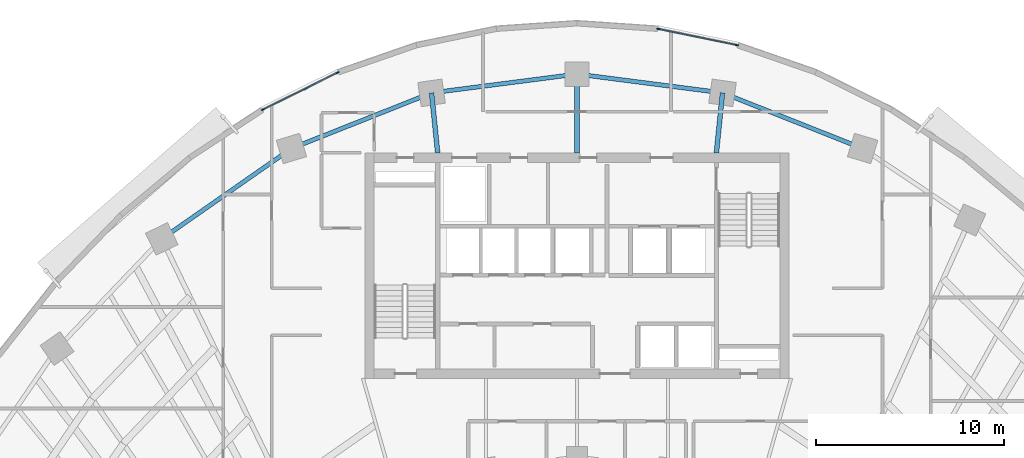
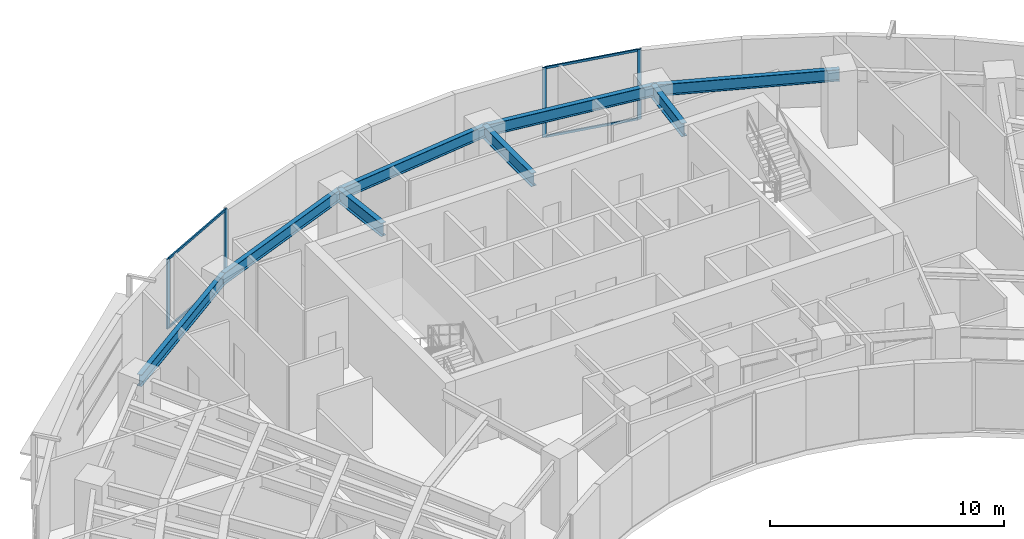
# One storey, part 5 of 14: 8 beams, 8 members, 2 elements without a shape of their own.
"""IFC4 building model written with IfcOpenShell, lengths in metres."""

import ifcopenshell
import ifcopenshell.guid

model = None  # the IFC model being written
_history = None  # IfcOwnerHistory: only IFC2X3 demands one
_inside = {}  # id of a spatial element -> (the spatial element, [elements in it])
_under = {}  # id of a project, library or spatial element -> (it, [spatial elements below it])
_declared = {}  # id of a project -> (the project, [libraries it declares])
_typed = {}  # id of a type object -> (the type object, [elements of that type])
_made_of = {}  # id of a material, layer set ... -> (it, [elements and type objects made of it])


def new_model(schema):
    """Start an empty IFC model of exactly this schema.

    Asked for "IFC4X3", IfcOpenShell would pick the latest addendum, in which some entities
    have other attributes; the version numbers below select the first issue.
    IFC2X3 requires an IfcOwnerHistory on every rooted entity: one is made here for all.
    """
    global model, _history
    if schema == "IFC4X3":
        model = ifcopenshell.file(schema_version=(4, 3, 0, 0))
    else:
        model = ifcopenshell.file(schema=schema)
    _inside.clear()
    _under.clear()
    _declared.clear()
    _typed.clear()
    _made_of.clear()
    _history = None
    if model.schema == "IFC2X3":
        org = make("IfcOrganization", Name="unknown")
        user = make(
            "IfcPersonAndOrganization",
            ThePerson=make("IfcPerson", FamilyName="unknown"),
            TheOrganization=org,
        )
        app = make(
            "IfcApplication",
            ApplicationDeveloper=org,
            Version="unknown",
            ApplicationFullName="unknown",
            ApplicationIdentifier="unknown",
        )
        _history = make(
            "IfcOwnerHistory",
            OwningUser=user,
            OwningApplication=app,
            ChangeAction="ADDED",
            CreationDate=0,
        )
    return model


def make(cls, **values):
    """One entity of the class cls with the attributes given. An attribute that is None is left unset."""
    return model.create_entity(
        cls, **{name: value for name, value in values.items() if value is not None}
    )


def rooted(cls, **values):
    """An entity with a GlobalId (a new one), such as an element, a storey or a relation."""
    return make(cls, GlobalId=ifcopenshell.guid.new(), OwnerHistory=_history, **values)


def si_unit(unit_type, name, prefix=None):
    """IfcSIUnit, for example si_unit("LENGTHUNIT", "METRE", prefix="MILLI")."""
    return make("IfcSIUnit", UnitType=unit_type, Prefix=prefix, Name=name)


def assignment(units):
    """IfcUnitAssignment: the units of a project."""
    return None if units is None else make("IfcUnitAssignment", Units=units)


def point(xyz):
    """IfcCartesianPoint."""
    return None if xyz is None else make("IfcCartesianPoint", Coordinates=xyz)


def direction(xyz):
    """IfcDirection."""
    return None if xyz is None else make("IfcDirection", DirectionRatios=xyz)


def frame(location, z_axis=None, x_axis=None):
    """IfcAxis2Placement3D, a coordinate frame: its origin and axes. An axis left out is left unset."""
    return make(
        "IfcAxis2Placement3D",
        Location=point(location),
        Axis=direction(z_axis),
        RefDirection=direction(x_axis),
    )


def frame_2d(location, x_axis=None):
    """IfcAxis2Placement2D, a coordinate frame in the plane: its origin and x axis."""
    return make(
        "IfcAxis2Placement2D", Location=point(location), RefDirection=direction(x_axis)
    )


def origin():
    """The frame at (0, 0, 0) with its axes left unset."""
    return frame((0.0, 0.0, 0.0))


def origin_2d():
    """The frame at (0, 0) in the plane with its x axis left unset."""
    return frame_2d((0.0, 0.0))


def place(relative_to, where):
    """IfcLocalPlacement: puts the frame where relative to a parent placement (None: the world)."""
    return make(
        "IfcLocalPlacement", PlacementRelTo=relative_to, RelativePlacement=where
    )


def context(
    kind, dimensions, precision=None, world=None, true_north=None, identifier=None
):
    """IfcGeometricRepresentationContext, for example the 3D "Model" context."""
    return make(
        "IfcGeometricRepresentationContext",
        ContextIdentifier=identifier,
        ContextType=kind,
        CoordinateSpaceDimension=dimensions,
        Precision=precision,
        WorldCoordinateSystem=world,
        TrueNorth=true_north,
    )


def subcontext(parent, identifier, kind, view, scale=None):
    """IfcGeometricRepresentationSubContext, for example "Body" below "Model"."""
    return make(
        "IfcGeometricRepresentationSubContext",
        ContextIdentifier=identifier,
        ContextType=kind,
        ParentContext=parent,
        TargetScale=scale,
        TargetView=view,
    )


def project(units=None, contexts=None):
    """IfcProject with its units and contexts."""
    return rooted(
        "IfcProject",
        Name="project",
        RepresentationContexts=contexts,
        UnitsInContext=assignment(units),
    )


def spatial(cls, under=None, at=None, **own):
    """A site, building, storey or space (cls), placed at a placement, below another one or the project."""
    s = rooted(cls, ObjectPlacement=at, **own)
    if under is not None:
        _under.setdefault(under.id(), (under, []))[1].append(s)
    return s


def profile(cls, at=None, kind="AREA", **sizes):
    """A parametric profile (cls). Its sizes go by their IFC names, for example OverallWidth=200.0."""
    return make(cls, ProfileType=kind, Position=at, **sizes)


def rectangle(**sizes):
    """IfcRectangleProfileDef."""
    return profile("IfcRectangleProfileDef", **sizes)


def i_section(**sizes):
    """IfcIShapeProfileDef."""
    return profile("IfcIShapeProfileDef", **sizes)


def extrude(swept, where, along, depth):
    """IfcExtrudedAreaSolid: the profile swept, set in the frame where, extruded along a direction by depth."""
    return make(
        "IfcExtrudedAreaSolid",
        SweptArea=swept,
        Position=where,
        ExtrudedDirection=direction(along),
        Depth=depth,
    )


def shape(context_of_items, identifier, shape_type, items):
    """IfcShapeRepresentation: the items that make up one representation, for example the "Body"."""
    return make(
        "IfcShapeRepresentation",
        ContextOfItems=context_of_items,
        RepresentationIdentifier=identifier,
        RepresentationType=shape_type,
        Items=items,
    )


def source(mapping_origin, context_of_items, identifier, shape_type, items):
    """IfcRepresentationMap: a shape defined once, which mapped items show again and again."""
    return make(
        "IfcRepresentationMap",
        MappingOrigin=mapping_origin,
        MappedRepresentation=shape(context_of_items, identifier, shape_type, items),
    )


def transform(
    local_origin,
    x_axis=None,
    y_axis=None,
    z_axis=None,
    scale=None,
    scale2=None,
    scale3=None,
    uniform=True,
):
    """IfcCartesianTransformationOperator3D, or its non-uniform kind. x_axis, y_axis, z_axis: its Axis1, 2, 3."""
    if uniform:
        return make(
            "IfcCartesianTransformationOperator3D",
            Axis1=direction(x_axis),
            Axis2=direction(y_axis),
            LocalOrigin=point(local_origin),
            Scale=scale,
            Axis3=direction(z_axis),
        )
    return make(
        "IfcCartesianTransformationOperator3DnonUniform",
        Axis1=direction(x_axis),
        Axis2=direction(y_axis),
        LocalOrigin=point(local_origin),
        Scale=scale,
        Axis3=direction(z_axis),
        Scale2=scale2,
        Scale3=scale3,
    )


def mapped(mapping_source, mapping_target):
    """IfcMappedItem: shows the shape of a source again, moved by a transform."""
    return make(
        "IfcMappedItem", MappingSource=mapping_source, MappingTarget=mapping_target
    )


def material(Name=None, Category=None):
    """IfcMaterial."""
    return make("IfcMaterial", Name=Name, Category=Category)


def layer(
    of_material, thickness, ventilated=None, Name=None, Category=None, Priority=None
):
    """IfcMaterialLayer: one layer of a wall or slab, of a material (None: an air gap)."""
    return make(
        "IfcMaterialLayer",
        Material=of_material,
        LayerThickness=thickness,
        IsVentilated=ventilated,
        Name=Name,
        Category=Category,
        Priority=Priority,
    )


def layer_set(layers, Name=None):
    """IfcMaterialLayerSet."""
    return make("IfcMaterialLayerSet", MaterialLayers=layers, LayerSetName=Name)


def material_profile(
    of_material, cross_section, Name=None, Category=None, Priority=None
):
    """IfcMaterialProfile: a cross section and its material."""
    return make(
        "IfcMaterialProfile",
        Name=Name,
        Material=of_material,
        Profile=cross_section,
        Priority=Priority,
        Category=Category,
    )


def profile_set(profiles, Name=None, composite=None):
    """IfcMaterialProfileSet."""
    return make(
        "IfcMaterialProfileSet",
        Name=Name,
        MaterialProfiles=profiles,
        CompositeProfile=composite,
    )


def made_of(thing, what):
    """Note that an element or type object is made of a material, layer set ...; save() writes the relation."""
    if what is not None:
        _made_of.setdefault(what.id(), (what, []))[1].append(thing)
    return thing


def type_object(cls, material=None, **own):
    """A type object (cls), such as IfcWallType, which elements share."""
    return made_of(rooted(cls, **own), material)


def element(
    cls,
    number,
    at=None,
    inside=None,
    cuts=None,
    type_object=None,
    material=None,
    context=None,
    identifier="Body",
    shape_type=None,
    held_by="IfcProductDefinitionShape",
    body=None,
    shapes=None,
    **own,
):
    """One element of the class cls, such as IfcWall. Its Tag is "e" and its number.

    at: its placement. inside: the storey or other place that contains it. cuts: it is an
    opening in that element (IfcRelVoidsElement). A single representation is given by context,
    identifier, shape_type and body (its items); several are given by shapes. held_by: the class
    of the entity that holds the representations. save() writes the other relations.
    """
    e = rooted(cls, Tag="e%d" % number, ObjectPlacement=at, **own)
    if body is not None:
        shapes = [shape(context, identifier, shape_type, body)]
    if shapes is not None:
        e.Representation = make(held_by, Representations=shapes)
    if inside is not None:
        _inside.setdefault(inside.id(), (inside, []))[1].append(e)
    if cuts is not None:
        rooted(
            "IfcRelVoidsElement", RelatingBuildingElement=cuts, RelatedOpeningElement=e
        )
    if type_object is not None:
        _typed.setdefault(type_object.id(), (type_object, []))[1].append(e)
    return made_of(e, material)


def aggregate(whole, parts):
    """IfcRelAggregates: a whole, such as a stair, and the parts it consists of."""
    return rooted("IfcRelAggregates", RelatingObject=whole, RelatedObjects=parts)


def save(model, path):
    """Write the relations noted so far, then the file.

    IfcRelAggregates (storeys below a building ...), IfcRelContainedInSpatialStructure (elements
    in a storey), IfcRelDefinesByType, IfcRelAssociatesMaterial and IfcRelDeclares: one each for
    every whole, place, type object, material and project.
    """
    for whole, parts in _under.values():
        aggregate(whole, parts)
    for where, things in _inside.values():
        rooted(
            "IfcRelContainedInSpatialStructure",
            RelatedElements=things,
            RelatingStructure=where,
        )
    for kind, things in _typed.values():
        rooted("IfcRelDefinesByType", RelatedObjects=things, RelatingType=kind)
    for what, things in _made_of.values():
        rooted("IfcRelAssociatesMaterial", RelatedObjects=things, RelatingMaterial=what)
    for by, libraries in _declared.values():
        rooted("IfcRelDeclares", RelatingContext=by, RelatedDefinitions=libraries)
    model.write(path)


model = new_model("IFC4")

# Units and contexts
model_context = context("Model", 3, precision=1e-05, world=origin(), true_north=direction((0.0, 1.0)))
body_context = subcontext(model_context, "Body", "Model", "MODEL_VIEW")
ifc_project = project(units=[si_unit("LENGTHUNIT", "METRE"), si_unit("AREAUNIT", "SQUARE_METRE"), si_unit("VOLUMEUNIT", "CUBIC_METRE"), si_unit("PLANEANGLEUNIT", "RADIAN"), si_unit("MASSUNIT", "GRAM", prefix="KILO")], contexts=[model_context])

# Site, building, storey
site_placement = place(None, origin())
site = spatial("IfcSite", under=ifc_project, at=site_placement, CompositionType="ELEMENT")
building_placement = place(site_placement, origin())
building = spatial("IfcBuilding", under=site, at=building_placement, Name="Breltana Convention Tower", CompositionType="ELEMENT")
storey_placement = place(building_placement, frame((0.0, 0.0, 103.800048828125)))
storey = spatial("IfcBuildingStorey", under=building, at=storey_placement, Name="L24", CompositionType="ELEMENT", Elevation=103.800048828125)

# Beams
ifc_material_1 = material(Name="Steel ASTM A992 Grade 50", Category="steel")
ifc_material_profile_1 = material_profile(ifc_material_1, i_section(OverallWidth=0.25390625, OverallDepth=0.68798828125, WebThickness=0.01318359375, FlangeThickness=0.02099609375, at=origin_2d()), Name="W27X102")
ifc_profile_set_1 = profile_set([ifc_material_profile_1], Name="Steel ASTM A992 Grade 50")
beam_type_1 = type_object("IfcBeamType", Name="BM-RG-W27X102", PredefinedType="USERDEFINED", material=ifc_profile_set_1)
shared_shape_1 = source(origin(), body_context, "Body", "SweptSolid", [
    extrude(i_section(OverallWidth=0.25390625, OverallDepth=0.68798828125, WebThickness=0.01318359375, FlangeThickness=0.02099609375, at=origin_2d()), origin(), (0.0, 0.0, 1.0), 3.220947265625),
])
for number, where, z_axis, x_axis, name in (
    (1, (40.580078125, 72.199951171875, 3.305908203125), (-0.101492254858, 0.994836329355, 0.0), (-0.994836329355, -0.101492254858, 0.0), "L24 North Core Radial Girder R05"),
    (2, (55.419921875, 72.199951171875, 3.305908203125), (0.101492254858, 0.994836329355, 0.0), (-0.994836329355, 0.101492254858, 0.0), "L24 North Core Radial Girder R07"),
):
    element("IfcBeam", number, at=place(storey_placement, frame(where, z_axis=z_axis, x_axis=x_axis)), inside=storey, type_object=beam_type_1, Name=name, ObjectType="GIRDER", PredefinedType="USERDEFINED", context=body_context, shape_type="MappedRepresentation", body=[
        mapped(shared_shape_1, transform((0.0, 0.0, 0.0), scale=1.0)),
    ])
shared_shape_2 = source(origin(), body_context, "Body", "SweptSolid", [
    extrude(i_section(OverallWidth=0.25390625, OverallDepth=0.68798828125, WebThickness=0.01318359375, FlangeThickness=0.02099609375, at=origin_2d()), origin(), (0.0, 0.0, 1.0), 4.2041015625),
])
beam_1_placement = place(storey_placement, frame((48.0, 72.199951171875, 3.305908203125), z_axis=(0.0, 1.0, 0.0), x_axis=(-1.0, 0.0, 0.0)))
element("IfcBeam", 3, at=beam_1_placement, inside=storey, type_object=beam_type_1, Name="L24 North Core Radial Girder R06", ObjectType="GIRDER", PredefinedType="USERDEFINED", context=body_context, shape_type="MappedRepresentation", body=[
    mapped(shared_shape_2, transform((0.0, 0.0, 0.0), scale=1.0)),
])
ifc_material_profile_2 = material_profile(ifc_material_1, i_section(OverallWidth=0.22802734375, OverallDepth=0.60791015625, WebThickness=0.01123046875, FlangeThickness=0.017333984375, at=origin_2d()), Name="W24X76")
ifc_profile_set_2 = profile_set([ifc_material_profile_2], Name="Steel ASTM A992 Grade 50")
beam_type_2 = type_object("IfcBeamType", Name="BM-SP-W24X76", PredefinedType="SPANDREL", material=ifc_profile_set_2)
shared_shape_3 = source(origin(), body_context, "Body", "SweptSolid", [
    extrude(i_section(OverallWidth=0.22802734375, OverallDepth=0.60791015625, WebThickness=0.01123046875, FlangeThickness=0.017333984375, at=origin_2d()), origin(), (0.0, 0.0, 1.0), 8.4169921875),
])
beam_2_placement = place(storey_placement, frame((25.8876953125, 67.626953125, 3.345947265625), z_axis=(0.820173800102, 0.572114444519, 0.0), x_axis=(-0.572114444519, 0.820173800102, 0.0)))
element("IfcBeam", 4, at=beam_2_placement, inside=storey, type_object=beam_type_2, Name="L24 Outer Spandrel Beam 03", PredefinedType="SPANDREL", context=body_context, shape_type="MappedRepresentation", body=[
    mapped(shared_shape_3, transform((0.0, 0.0, 0.0), scale=1.0)),
])
shared_shape_4 = source(origin(), body_context, "Body", "SweptSolid", [
    extrude(i_section(OverallWidth=0.22802734375, OverallDepth=0.60791015625, WebThickness=0.01123046875, FlangeThickness=0.017333984375, at=origin_2d()), origin(), (0.0, 0.0, 1.0), 8.028564453125),
])
for number, where, z_axis, x_axis, name in (
    (5, (32.791015625, 72.4423828125, 3.345947265625), (0.929459100394, 0.368925169507, 0.0), (-0.368925169507, 0.929459100394, 0.0), "L24 Outer Spandrel Beam 04"),
    (6, (55.746826171875, 75.404296875, 3.345947265625), (0.929459100394, -0.368925169507, 0.0), (0.368925169507, 0.929459100394, 0.0), "L24 Outer Spandrel Beam 07"),
):
    element("IfcBeam", number, at=place(storey_placement, frame(where, z_axis=z_axis, x_axis=x_axis)), inside=storey, type_object=beam_type_2, Name=name, PredefinedType="SPANDREL", context=body_context, shape_type="MappedRepresentation", body=[
        mapped(shared_shape_4, transform((0.0, 0.0, 0.0), scale=1.0)),
    ])
shared_shape_5 = source(origin(), body_context, "Body", "SweptSolid", [
    extrude(i_section(OverallWidth=0.22802734375, OverallDepth=0.60791015625, WebThickness=0.01123046875, FlangeThickness=0.017333984375, at=origin_2d()), origin(), (0.0, 0.0, 1.0), 7.81103515625),
])
for number, where, z_axis, x_axis, name in (
    (7, (40.253173828125, 75.404296875, 3.345947265625), (0.991775179127, 0.127992164083, 0.0), (-0.127992164083, 0.991775179127, 0.0), "L24 Outer Spandrel Beam 05"),
    (8, (48.0, 76.404052734375, 3.345947265625), (0.991775179127, -0.127992164083, 0.0), (0.127992164083, 0.991775179127, 0.0), "L24 Outer Spandrel Beam 06"),
):
    element("IfcBeam", number, at=place(storey_placement, frame(where, z_axis=z_axis, x_axis=x_axis)), inside=storey, type_object=beam_type_2, Name=name, PredefinedType="SPANDREL", context=body_context, shape_type="MappedRepresentation", body=[
        mapped(shared_shape_5, transform((0.0, 0.0, 0.0), scale=1.0)),
    ])

# Curtain wall, members
ifc_material_2 = material(Name="Aluminium Anodised Bronze Frame", Category="aluminium")
ifc_layer = layer(ifc_material_2, 0.22998046875, Name="Aluminium Anodised Bronze Frame")
ifc_layer_set = layer_set([ifc_layer], Name="Aluminium Anodised Bronze Frame")
curtain_wall_type = type_object("IfcCurtainWallType", Name="CW-SYS-5", PredefinedType="NOTDEFINED", material=ifc_layer_set)
curtain_wall_1_placement = place(storey_placement, origin())
curtain_wall_1 = element("IfcCurtainWall", 9, at=curtain_wall_1_placement, inside=storey, type_object=curtain_wall_type, Name="L24 outer double-skin inner glazing 2", PredefinedType="NOTDEFINED")
ifc_material_3 = material(Name="Aluminium Anodised Bronze", Category="aluminium")
ifc_material_profile_3 = material_profile(ifc_material_3, rectangle(XDim=0.070068359375, YDim=0.175048828125, at=origin_2d()), Name="CWM-70X175")
ifc_profile_set_3 = profile_set([ifc_material_profile_3], Name="Aluminium Anodised Bronze")
member_type_1 = type_object("IfcMemberType", Name="CWM-175", PredefinedType="MULLION", material=ifc_profile_set_3)
shared_shape_6 = source(origin(), body_context, "Body", "SweptSolid", [
    extrude(rectangle(XDim=0.070068359375, YDim=0.175048828125, at=origin_2d()), origin(), (0.0, 0.0, 1.0), 3.64990234375),
])
member_1_placement = place(storey_placement, frame((31.280029296875, 74.511962890625, 0.0), z_axis=(0.0, 0.0, 1.0), x_axis=(-0.444121541007, 0.895966548937, 0.0)))
member_1 = element("IfcMember", 10, at=member_1_placement, type_object=member_type_1, Name="CW-05 mullion 1", PredefinedType="MULLION", context=body_context, shape_type="MappedRepresentation", body=[
    mapped(shared_shape_6, transform((0.0, 0.0, 0.0), scale=1.0)),
])
member_2_placement = place(storey_placement, frame((35.25439453125, 76.48193359375, 0.0), z_axis=(0.0, 0.0, 1.0), x_axis=(-0.444121541007, 0.895966548937, 0.0)))
member_2 = element("IfcMember", 11, at=member_2_placement, type_object=member_type_1, Name="CW-05 mullion 2", PredefinedType="MULLION", context=body_context, shape_type="MappedRepresentation", body=[
    mapped(shared_shape_6, transform((0.0, 0.0, 0.0), scale=1.0)),
])

curtain_wall_2_placement = place(storey_placement, origin())
curtain_wall_2 = element("IfcCurtainWall", 12, at=curtain_wall_2_placement, inside=storey, type_object=curtain_wall_type, Name="L24 outer double-skin inner glazing 3", PredefinedType="NOTDEFINED")
member_3_placement = place(storey_placement, frame((52.330078125, 78.805908203125, 0.0), z_axis=(0.0, 0.0, 1.0), x_axis=(0.200858550415, 0.979620254346, 0.0)))
member_3 = element("IfcMember", 13, at=member_3_placement, type_object=member_type_1, Name="CW-05 mullion 1", PredefinedType="MULLION", context=body_context, shape_type="MappedRepresentation", body=[
    mapped(shared_shape_6, transform((0.0, 0.0, 0.0), scale=1.0)),
])
member_4_placement = place(storey_placement, frame((56.513916015625, 77.947998046875, 0.0), z_axis=(0.0, 0.0, 1.0), x_axis=(0.200858550415, 0.979620254346, 0.0)))
member_4 = element("IfcMember", 14, at=member_4_placement, type_object=member_type_1, Name="CW-05 mullion 2", PredefinedType="MULLION", context=body_context, shape_type="MappedRepresentation", body=[
    mapped(shared_shape_6, transform((0.0, 0.0, 0.0), scale=1.0)),
])

# Member
ifc_material_profile_4 = material_profile(ifc_material_3, rectangle(XDim=0.070068359375, YDim=0.1201171875, at=origin_2d()), Name="CWT-70X120")
ifc_profile_set_4 = profile_set([ifc_material_profile_4], Name="Aluminium Anodised Bronze")
member_type_2 = type_object("IfcMemberType", Name="CWT-120", PredefinedType="USERDEFINED", material=ifc_profile_set_4)
shared_shape_7 = source(origin(), body_context, "Body", "SweptSolid", [
    extrude(rectangle(XDim=0.070068359375, YDim=0.1201171875, at=origin_2d()), origin(), (0.0, 0.0, 1.0), 4.365478515625),
])
member_5_placement = place(storey_placement, frame((31.3115234375, 74.52734375, 0.034912109375), z_axis=(0.89595425125, 0.44414634938, 0.0), x_axis=(-0.44414634938, 0.89595425125, 0.0)))
member_5 = element("IfcMember", 15, at=member_5_placement, type_object=member_type_2, Name="CW-05 transom 1.1", ObjectType="TRANSOM", PredefinedType="USERDEFINED", context=body_context, shape_type="MappedRepresentation", body=[
    mapped(shared_shape_7, transform((0.0, 0.0, 0.0), scale=1.0)),
])

member_6_placement = place(storey_placement, frame((31.3115234375, 74.52734375, 3.614990234375), z_axis=(0.89595425125, 0.44414634938, 0.0), x_axis=(-0.44414634938, 0.89595425125, 0.0)))
member_6 = element("IfcMember", 16, at=member_6_placement, type_object=member_type_2, Name="CW-05 transom 1.2", ObjectType="TRANSOM", PredefinedType="USERDEFINED", context=body_context, shape_type="MappedRepresentation", body=[
    mapped(shared_shape_7, transform((0.0, 0.0, 0.0), scale=1.0)),
])

aggregate(curtain_wall_1, [member_1, member_2, member_5, member_6])

shared_shape_8 = source(origin(), body_context, "Body", "SweptSolid", [
    extrude(rectangle(XDim=0.070068359375, YDim=0.1201171875, at=origin_2d()), origin(), (0.0, 0.0, 1.0), 4.200927734375),
])
member_7_placement = place(storey_placement, frame((52.364501953125, 78.798828125, 0.034912109375), z_axis=(0.979621469833, -0.200852622196, 0.0), x_axis=(0.200852622196, 0.979621469833, 0.0)))
member_7 = element("IfcMember", 17, at=member_7_placement, type_object=member_type_2, Name="CW-05 transom 1.1", ObjectType="TRANSOM", PredefinedType="USERDEFINED", context=body_context, shape_type="MappedRepresentation", body=[
    mapped(shared_shape_8, transform((0.0, 0.0, 0.0), scale=1.0)),
])

member_8_placement = place(storey_placement, frame((52.364501953125, 78.798828125, 3.614990234375), z_axis=(0.979621469833, -0.200852622196, 0.0), x_axis=(0.200852622196, 0.979621469833, 0.0)))
member_8 = element("IfcMember", 18, at=member_8_placement, type_object=member_type_2, Name="CW-05 transom 1.2", ObjectType="TRANSOM", PredefinedType="USERDEFINED", context=body_context, shape_type="MappedRepresentation", body=[
    mapped(shared_shape_8, transform((0.0, 0.0, 0.0), scale=1.0)),
])

aggregate(curtain_wall_2, [member_3, member_4, member_7, member_8])

save(model, "model.ifc")
